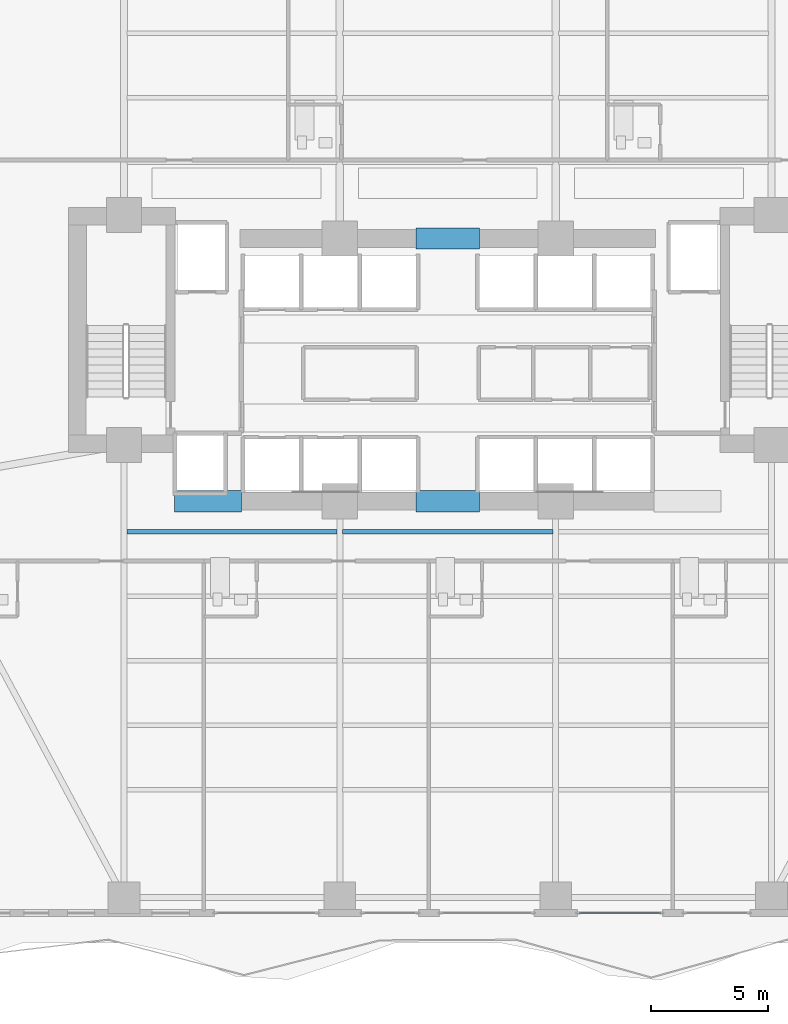
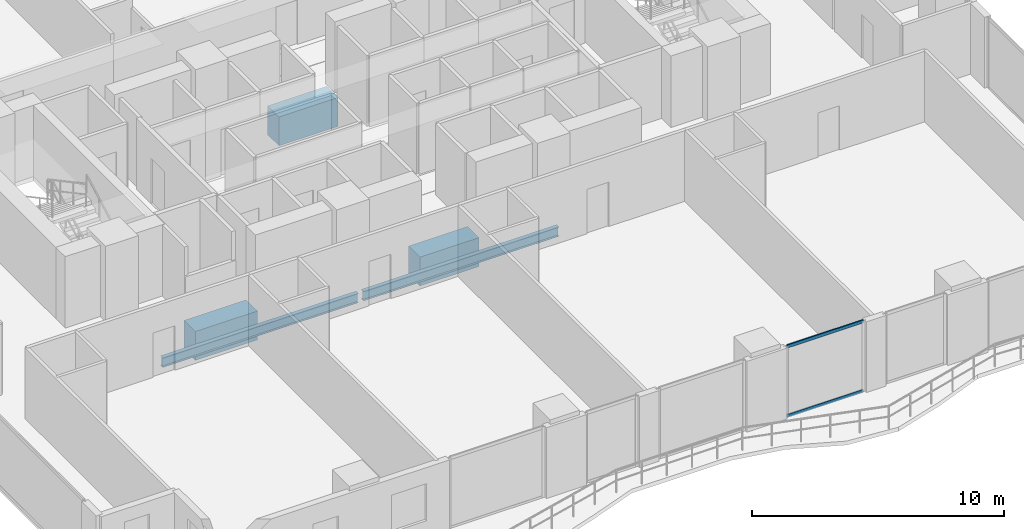
# One storey, part 8 of 28: 5 beams, 2 members, 1 element without a shape of its own.
"""IFC4 building model written with IfcOpenShell, lengths in metres."""

from ifc_helpers import new_model, si_unit, direction, frame, origin, origin_2d, place, context, subcontext, project, spatial, rectangle, hollow_rectangle, i_section, extrude, material, layer, layer_set, material_profile, profile_set, type_object, element, aggregate, save


model = new_model("IFC4")

# Units and contexts
model_context = context("Model", 3, precision=1e-05, world=origin(), true_north=direction((0.0, 1.0)))
body_context = subcontext(model_context, "Body", "Model", "MODEL_VIEW")
ifc_project = project(units=[si_unit("LENGTHUNIT", "METRE"), si_unit("AREAUNIT", "SQUARE_METRE"), si_unit("VOLUMEUNIT", "CUBIC_METRE"), si_unit("PLANEANGLEUNIT", "RADIAN"), si_unit("MASSUNIT", "GRAM", prefix="KILO")], contexts=[model_context])

# Site, building, storey
site_placement = place(None, origin())
site = spatial("IfcSite", under=ifc_project, at=site_placement, CompositionType="ELEMENT")
building_placement = place(site_placement, origin())
building = spatial("IfcBuilding", under=site, at=building_placement, Name="Zuhayl Quay Hotel", CompositionType="ELEMENT")
storey_placement = place(building_placement, frame((0.0, 0.0, 143.10009765625)))
storey = spatial("IfcBuildingStorey", under=building, at=storey_placement, Name="L36", CompositionType="ELEMENT", Elevation=143.10009765625)

# Beams
ifc_material_1 = material(Name="Concrete C60/75", Category="concrete")
ifc_material_profile_1 = material_profile(ifc_material_1, rectangle(XDim=0.89990234375, YDim=1.39990234375, at=origin_2d()), Name="RC900X1400")
ifc_profile_set_1 = profile_set([ifc_material_profile_1], Name="Concrete C60/75")
beam_type_1 = type_object("IfcBeamType", Name="BM_CB1_RC900", PredefinedType="T_BEAM", material=ifc_profile_set_1)
beam_placement = place(storey_placement, frame((-11.64990234375, 2.14990234375, -0.920166015625), z_axis=(1.0, 0.0, 0.0), x_axis=(0.0, 1.0, 0.0)))
element("IfcBeam", 1, at=beam_placement, inside=storey, type_object=beam_type_1, Name="L36 Core Coupling Beam SW", PredefinedType="T_BEAM", context=body_context, shape_type="SweptSolid", body=[
    extrude(rectangle(XDim=0.89990234375, YDim=1.39990234375, at=origin_2d()), origin(), (0.0, 0.0, 1.0), 2.849853515625),
])
for number, where, z_axis, x_axis, name in (
    (2, (-1.35009765625, 13.35009765625, -0.920166015625), (1.0, 0.0, 0.0), (0.0, 1.0, 0.0), "L36 Core Coupling Beam North"),
    (3, (-1.35009765625, 2.14990234375, -0.920166015625), (1.0, 0.0, 0.0), (0.0, 1.0, 0.0), "L36 Core Coupling Beam South"),
):
    element("IfcBeam", number, at=place(storey_placement, frame(where, z_axis=z_axis, x_axis=x_axis)), inside=storey, type_object=beam_type_1, Name=name, PredefinedType="T_BEAM", context=body_context, shape_type="SweptSolid", body=[
        extrude(rectangle(XDim=0.89990234375, YDim=1.39990234375, at=origin_2d()), origin(), (0.0, 0.0, 1.0), 2.7001953125),
    ])
ifc_material_2 = material(Name="Steel ASTM A992 Grade 50", Category="steel")
ifc_material_profile_2 = material_profile(ifc_material_2, i_section(OverallWidth=0.18994140625, OverallDepth=0.45703125, WebThickness=0.009033203125, FlangeThickness=0.014404296875, at=origin_2d()), Name="W18X50")
ifc_profile_set_2 = profile_set([ifc_material_profile_2], Name="Steel ASTM A992 Grade 50")
beam_type_2 = type_object("IfcBeamType", Name="BM_J2_W18X50", PredefinedType="JOIST", material=ifc_profile_set_2)
for number, where, z_axis, x_axis, name in (
    (4, (-13.680908203125, 0.85009765625, -0.448486328125), (1.0, 0.0, 0.0), (0.0, 1.0, 0.0), "L36 Floor Beam FJ_L36_9_1"),
    (5, (-4.48095703125, 0.85009765625, -0.448486328125), (1.0, 0.0, 0.0), (0.0, 1.0, 0.0), "L36 Floor Beam FJ_L36_9_2"),
):
    element("IfcBeam", number, at=place(storey_placement, frame(where, z_axis=z_axis, x_axis=x_axis)), inside=storey, type_object=beam_type_2, Name=name, PredefinedType="JOIST", context=body_context, shape_type="SweptSolid", body=[
        extrude(i_section(OverallWidth=0.18994140625, OverallDepth=0.45703125, WebThickness=0.009033203125, FlangeThickness=0.014404296875, at=origin_2d()), origin(), (0.0, 0.0, 1.0), 8.9619140625),
    ])

# Curtain wall, members
ifc_material_3 = material(Name="Anodised Aluminium 6063-T6", Category="aluminium")
ifc_layer = layer(ifc_material_3, 0.179931640625, Name="Anodised Aluminium 6063-T6", Category="aluminium")
ifc_layer_set = layer_set([ifc_layer], Name="Anodised Aluminium 6063-T6")
curtain_wall_type = type_object("IfcCurtainWallType", Name="CW_SYS_Z2", PredefinedType="USERDEFINED", material=ifc_layer_set)
curtain_wall_placement = place(storey_placement, origin())
curtain_wall = element("IfcCurtainWall", 6, at=curtain_wall_placement, inside=storey, type_object=curtain_wall_type, Name="L36 Curtain Wall ENV_L36_S_CW3", ObjectType="UNITISED CURTAIN WALL", PredefinedType="USERDEFINED")
ifc_material_4 = material(Name="Black-anodised aluminium 6063-T6", Category="aluminium")
ifc_material_profile_3 = material_profile(ifc_material_4, hollow_rectangle(XDim=0.06005859375, YDim=0.14990234375, WallThickness=0.00341796875, at=origin_2d()), Name="ALU150X60")
ifc_profile_set_3 = profile_set([ifc_material_profile_3], Name="Black-anodised aluminium 6063-T6")
member_type = type_object("IfcMemberType", Name="MB_CW_TRN_150", PredefinedType="USERDEFINED", material=ifc_profile_set_3)
member_1_placement = place(storey_placement, frame((9.0849609375, -15.39990234375, 0.02978515625), z_axis=(-1.0, 0.0, 0.0), x_axis=(0.0, -1.0, 0.0)))
member_1 = element("IfcMember", 7, at=member_1_placement, type_object=member_type, Name="CW-Z2 transom 1.1", ObjectType="TRANSOM", PredefinedType="USERDEFINED", context=body_context, shape_type="SweptSolid", body=[
    extrude(hollow_rectangle(XDim=0.06005859375, YDim=0.14990234375, WallThickness=0.00341796875, at=origin_2d()), origin(), (0.0, 0.0, 1.0), 3.5),
])
member_2_placement = place(storey_placement, frame((9.0849609375, -15.39990234375, 3.39990234375), z_axis=(-1.0, 0.0, 0.0), x_axis=(0.0, -1.0, 0.0)))
member_2 = element("IfcMember", 8, at=member_2_placement, type_object=member_type, Name="CW-Z2 transom 1.2", ObjectType="TRANSOM", PredefinedType="USERDEFINED", context=body_context, shape_type="SweptSolid", body=[
    extrude(hollow_rectangle(XDim=0.06005859375, YDim=0.14990234375, WallThickness=0.00341796875, at=origin_2d()), origin(), (0.0, 0.0, 1.0), 3.5),
])
aggregate(curtain_wall, [member_1, member_2])

save(model, "model.ifc")
